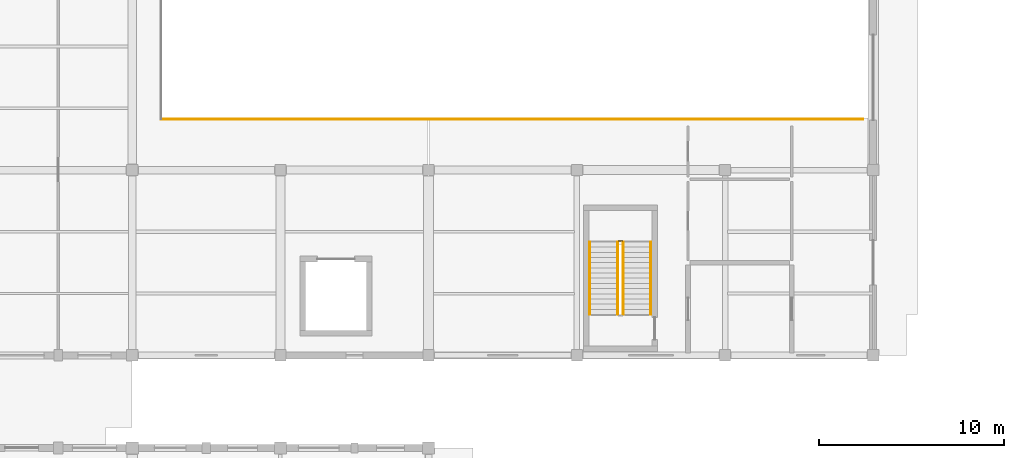
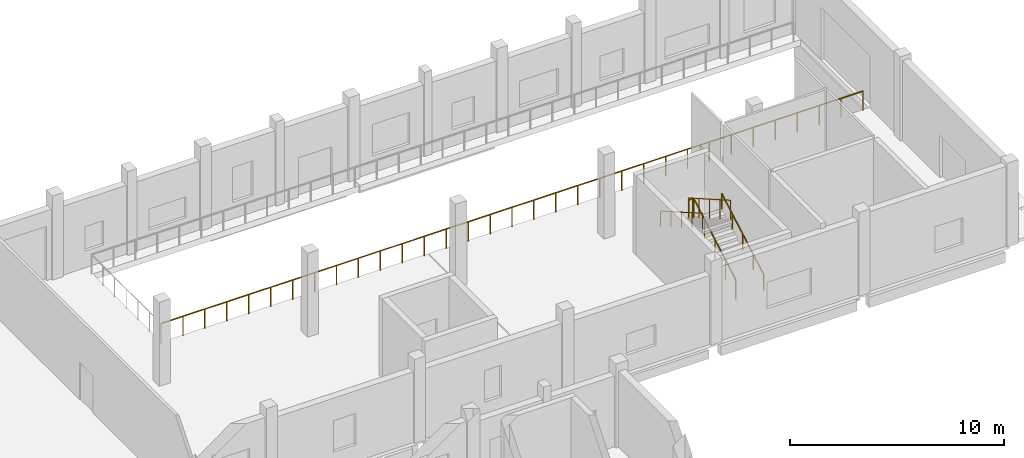
# One storey, part 147 of 156: 6 railings.
"""IFC4 building model written with IfcOpenShell, lengths in metres."""

from ifc_helpers import new_model, si_unit, direction, frame, origin, origin_2d, place, context, subcontext, project, spatial, circle, extrude, material, type_object, element, save


model = new_model("IFC4")

# Units and contexts
model_context = context("Model", 3, precision=1e-05, world=origin(), true_north=direction((0.0, 1.0)))
body_context = subcontext(model_context, "Body", "Model", "MODEL_VIEW")
ifc_project = project(units=[si_unit("LENGTHUNIT", "METRE"), si_unit("AREAUNIT", "SQUARE_METRE"), si_unit("VOLUMEUNIT", "CUBIC_METRE"), si_unit("PLANEANGLEUNIT", "RADIAN"), si_unit("MASSUNIT", "GRAM", prefix="KILO")], contexts=[model_context])

# Site, building, storey
site_placement = place(None, origin())
site = spatial("IfcSite", under=ifc_project, at=site_placement, CompositionType="ELEMENT")
building_placement = place(site_placement, origin())
building = spatial("IfcBuilding", under=site, at=building_placement, Name="Luwemba Playhouse", CompositionType="ELEMENT")
storey_placement = place(building_placement, origin())
storey = spatial("IfcBuildingStorey", under=building, at=storey_placement, Name="L00", CompositionType="ELEMENT", Elevation=0.0)

# Railings
ifc_material_1 = material(Name="Painted wrought-iron balustrade", Category="steel")
railing_type_1 = type_object("IfcRailingType", Name="RLG-BAL-EXT", PredefinedType="BALUSTRADE", material=ifc_material_1)
railing_1_placement = place(storey_placement, frame((37.550048828125, 107.75, 0.0)))
element("IfcRailing", 1, at=railing_1_placement, inside=storey, type_object=railing_type_1, Name="Car park ramp portal guard 020", PredefinedType="BALUSTRADE", context=body_context, shape_type="SweptSolid", body=[
    extrude(circle(Radius=0.02392578125, at=origin_2d()), frame((0.0, 0.0, 1.09619140625), z_axis=(1.0, 0.0, 0.0), x_axis=(0.0, 1.0, 0.0)), (0.0, 0.0, 1.0), 37.89990234375),
    extrude(circle(Radius=0.02099609375, at=origin_2d()), origin(), (0.0, 0.0, 1.0), 1.072021484375),
    extrude(circle(Radius=0.02099609375, at=origin_2d()), frame((1.184326171875, 0.0, 0.0)), (0.0, 0.0, 1.0), 1.072021484375),
    extrude(circle(Radius=0.02099609375, at=origin_2d()), frame((2.36865234375, 0.0, 0.0)), (0.0, 0.0, 1.0), 1.072021484375),
    extrude(circle(Radius=0.02099609375, at=origin_2d()), frame((3.55322265625, 0.0, 0.0)), (0.0, 0.0, 1.0), 1.072021484375),
    extrude(circle(Radius=0.02099609375, at=origin_2d()), frame((4.737548828125, 0.0, 0.0)), (0.0, 0.0, 1.0), 1.072021484375),
    extrude(circle(Radius=0.02099609375, at=origin_2d()), frame((5.921875, 0.0, 0.0)), (0.0, 0.0, 1.0), 1.072021484375),
    extrude(circle(Radius=0.02099609375, at=origin_2d()), frame((7.106201171875, 0.0, 0.0)), (0.0, 0.0, 1.0), 1.072021484375),
    extrude(circle(Radius=0.02099609375, at=origin_2d()), frame((8.29052734375, 0.0, 0.0)), (0.0, 0.0, 1.0), 1.072021484375),
    extrude(circle(Radius=0.02099609375, at=origin_2d()), frame((9.47509765625, 0.0, 0.0)), (0.0, 0.0, 1.0), 1.072021484375),
    extrude(circle(Radius=0.02099609375, at=origin_2d()), frame((10.659423828125, 0.0, 0.0)), (0.0, 0.0, 1.0), 1.072021484375),
    extrude(circle(Radius=0.02099609375, at=origin_2d()), frame((11.84375, 0.0, 0.0)), (0.0, 0.0, 1.0), 1.072021484375),
    extrude(circle(Radius=0.02099609375, at=origin_2d()), frame((13.028076171875, 0.0, 0.0)), (0.0, 0.0, 1.0), 1.072021484375),
    extrude(circle(Radius=0.02099609375, at=origin_2d()), frame((14.21240234375, 0.0, 0.0)), (0.0, 0.0, 1.0), 1.072021484375),
    extrude(circle(Radius=0.02099609375, at=origin_2d()), frame((15.396728515625, 0.0, 0.0)), (0.0, 0.0, 1.0), 1.072021484375),
    extrude(circle(Radius=0.02099609375, at=origin_2d()), frame((16.581298828125, 0.0, 0.0)), (0.0, 0.0, 1.0), 1.072021484375),
    extrude(circle(Radius=0.02099609375, at=origin_2d()), frame((17.765625, 0.0, 0.0)), (0.0, 0.0, 1.0), 1.072021484375),
    extrude(circle(Radius=0.02099609375, at=origin_2d()), frame((18.949951171875, 0.0, 0.0)), (0.0, 0.0, 1.0), 1.072021484375),
    extrude(circle(Radius=0.02099609375, at=origin_2d()), frame((20.13427734375, 0.0, 0.0)), (0.0, 0.0, 1.0), 1.072021484375),
    extrude(circle(Radius=0.02099609375, at=origin_2d()), frame((21.318603515625, 0.0, 0.0)), (0.0, 0.0, 1.0), 1.072021484375),
    extrude(circle(Radius=0.02099609375, at=origin_2d()), frame((22.503173828125, 0.0, 0.0)), (0.0, 0.0, 1.0), 1.072021484375),
    extrude(circle(Radius=0.02099609375, at=origin_2d()), frame((23.6875, 0.0, 0.0)), (0.0, 0.0, 1.0), 1.072021484375),
    extrude(circle(Radius=0.02099609375, at=origin_2d()), frame((24.871826171875, 0.0, 0.0)), (0.0, 0.0, 1.0), 1.072021484375),
    extrude(circle(Radius=0.02099609375, at=origin_2d()), frame((26.05615234375, 0.0, 0.0)), (0.0, 0.0, 1.0), 1.072021484375),
    extrude(circle(Radius=0.02099609375, at=origin_2d()), frame((27.240478515625, 0.0, 0.0)), (0.0, 0.0, 1.0), 1.072021484375),
    extrude(circle(Radius=0.02099609375, at=origin_2d()), frame((28.4248046875, 0.0, 0.0)), (0.0, 0.0, 1.0), 1.072021484375),
    extrude(circle(Radius=0.02099609375, at=origin_2d()), frame((29.609375, 0.0, 0.0)), (0.0, 0.0, 1.0), 1.072021484375),
    extrude(circle(Radius=0.02099609375, at=origin_2d()), frame((30.793701171875, 0.0, 0.0)), (0.0, 0.0, 1.0), 1.072021484375),
    extrude(circle(Radius=0.02099609375, at=origin_2d()), frame((31.97802734375, 0.0, 0.0)), (0.0, 0.0, 1.0), 1.072021484375),
    extrude(circle(Radius=0.02099609375, at=origin_2d()), frame((33.162353515625, 0.0, 0.0)), (0.0, 0.0, 1.0), 1.072021484375),
    extrude(circle(Radius=0.02099609375, at=origin_2d()), frame((34.3466796875, 0.0, 0.0)), (0.0, 0.0, 1.0), 1.072021484375),
    extrude(circle(Radius=0.02099609375, at=origin_2d()), frame((35.53125, 0.0, 0.0)), (0.0, 0.0, 1.0), 1.072021484375),
    extrude(circle(Radius=0.02099609375, at=origin_2d()), frame((36.715576171875, 0.0, 0.0)), (0.0, 0.0, 1.0), 1.072021484375),
    extrude(circle(Radius=0.02099609375, at=origin_2d()), frame((37.89990234375, 0.0, 0.0)), (0.0, 0.0, 1.0), 1.072021484375),
])
ifc_material_2 = material(Name="Painted wrought-iron gallery balustrade", Category="steel")
railing_type_2 = type_object("IfcRailingType", Name="RLG-BAL-INT", PredefinedType="BALUSTRADE", material=ifc_material_2)
railing_2_placement = place(storey_placement, frame((62.5, 97.199951171875, 0.159912109375)))
element("IfcRailing", 2, at=railing_2_placement, inside=storey, type_object=railing_type_2, Name="L00 ST-15 stair guard 1", PredefinedType="BALUSTRADE", context=body_context, shape_type="SweptSolid", body=[
    extrude(circle(Radius=0.02392578125, at=origin_2d()), frame((0.0, 0.0, 1.09619140625), z_axis=(0.0, 0.86825312469, 0.496121468458), x_axis=(-1.0, 0.0, 0.0)), (0.0, 0.0, 1.0), 4.514892578125),
    extrude(circle(Radius=0.02099609375, at=origin_2d()), origin(), (0.0, 0.0, 1.0), 1.072021484375),
    extrude(circle(Radius=0.02099609375, at=origin_2d()), frame((0.0, 0.97998046875, 0.56005859375)), (0.0, 0.0, 1.0), 1.072021484375),
    extrude(circle(Radius=0.02099609375, at=origin_2d()), frame((0.0, 1.9599609375, 1.1201171875)), (0.0, 0.0, 1.0), 1.072021484375),
    extrude(circle(Radius=0.02099609375, at=origin_2d()), frame((0.0, 2.940185546875, 1.679931640625)), (0.0, 0.0, 1.0), 1.072021484375),
    extrude(circle(Radius=0.02099609375, at=origin_2d()), frame((0.0, 3.920166015625, 2.239990234375)), (0.0, 0.0, 1.0), 1.072021484375),
])
railing_3_placement = place(storey_placement, frame((62.449951171875, 101.169921875, 2.39990234375)))
element("IfcRailing", 3, at=railing_3_placement, inside=storey, type_object=railing_type_2, Name="L00 ST-15 stair guard 2", PredefinedType="BALUSTRADE", context=body_context, shape_type="SweptSolid", body=[
    extrude(circle(Radius=0.02392578125, at=origin_2d()), frame((0.0, 0.0, 1.09619140625), z_axis=(-1.0, 0.0, 0.0), x_axis=(0.0, -1.0, 0.0)), (0.0, 0.0, 1.0), 0.199951171875),
    extrude(circle(Radius=0.02099609375, at=origin_2d()), origin(), (0.0, 0.0, 1.0), 1.072021484375),
    extrude(circle(Radius=0.02099609375, at=origin_2d()), frame((-0.199951171875, 0.0, 0.0)), (0.0, 0.0, 1.0), 1.072021484375),
])
railing_4_placement = place(storey_placement, frame((62.199951171875, 101.1201171875, 2.56005859375)))
element("IfcRailing", 4, at=railing_4_placement, inside=storey, type_object=railing_type_2, Name="L00 ST-15 stair guard 3", PredefinedType="BALUSTRADE", context=body_context, shape_type="SweptSolid", body=[
    extrude(circle(Radius=0.02392578125, at=origin_2d()), frame((0.0, 0.0, 1.09619140625), z_axis=(0.0, -0.86825312469, 0.496121468458), x_axis=(1.0, 0.0, 0.0)), (0.0, 0.0, 1.0), 4.514892578125),
    extrude(circle(Radius=0.02099609375, at=origin_2d()), origin(), (0.0, 0.0, 1.0), 1.072021484375),
    extrude(circle(Radius=0.02099609375, at=origin_2d()), frame((0.0, -0.97998046875, 0.56005859375)), (0.0, 0.0, 1.0), 1.072021484375),
    extrude(circle(Radius=0.02099609375, at=origin_2d()), frame((0.0, -1.9599609375, 1.1201171875)), (0.0, 0.0, 1.0), 1.072021484375),
    extrude(circle(Radius=0.02099609375, at=origin_2d()), frame((0.0, -2.940185546875, 1.679931640625)), (0.0, 0.0, 1.0), 1.072021484375),
    extrude(circle(Radius=0.02099609375, at=origin_2d()), frame((0.0, -3.920166015625, 2.239990234375)), (0.0, 0.0, 1.0), 1.072021484375),
])
ifc_material_3 = material(Name="Hardwood and bronze handrail", Category="wood")
railing_type_3 = type_object("IfcRailingType", Name="RLG-HR-INT", PredefinedType="HANDRAIL", material=ifc_material_3)
railing_5_placement = place(storey_placement, frame((64.0, 97.199951171875, 0.159912109375)))
element("IfcRailing", 5, at=railing_5_placement, inside=storey, type_object=railing_type_3, Name="L00 ST-15 stair handrail 1", PredefinedType="HANDRAIL", context=body_context, shape_type="SweptSolid", body=[
    extrude(circle(Radius=0.02392578125, at=origin_2d()), frame((0.0, 0.0, 0.8759765625), z_axis=(0.0, 0.86825312469, 0.496121468458), x_axis=(-1.0, 0.0, 0.0)), (0.0, 0.0, 1.0), 4.514892578125),
    extrude(circle(Radius=0.02099609375, at=origin_2d()), origin(), (0.0, 0.0, 1.0), 0.851806640625),
    extrude(circle(Radius=0.02099609375, at=origin_2d()), frame((0.0, 0.97998046875, 0.56005859375)), (0.0, 0.0, 1.0), 0.851806640625),
    extrude(circle(Radius=0.02099609375, at=origin_2d()), frame((0.0, 1.9599609375, 1.1201171875)), (0.0, 0.0, 1.0), 0.851806640625),
    extrude(circle(Radius=0.02099609375, at=origin_2d()), frame((0.0, 2.940185546875, 1.679931640625)), (0.0, 0.0, 1.0), 0.851806640625),
    extrude(circle(Radius=0.02099609375, at=origin_2d()), frame((0.0, 3.920166015625, 2.239990234375)), (0.0, 0.0, 1.0), 0.851806640625),
])
railing_6_placement = place(storey_placement, frame((60.699951171875, 101.1201171875, 2.56005859375)))
element("IfcRailing", 6, at=railing_6_placement, inside=storey, type_object=railing_type_3, Name="L00 ST-15 stair handrail 2", PredefinedType="HANDRAIL", context=body_context, shape_type="SweptSolid", body=[
    extrude(circle(Radius=0.02392578125, at=origin_2d()), frame((0.0, 0.0, 0.8759765625), z_axis=(0.0, -0.86825312469, 0.496121468458), x_axis=(1.0, 0.0, 0.0)), (0.0, 0.0, 1.0), 4.514892578125),
    extrude(circle(Radius=0.02099609375, at=origin_2d()), origin(), (0.0, 0.0, 1.0), 0.851806640625),
    extrude(circle(Radius=0.02099609375, at=origin_2d()), frame((0.0, -0.97998046875, 0.56005859375)), (0.0, 0.0, 1.0), 0.851806640625),
    extrude(circle(Radius=0.02099609375, at=origin_2d()), frame((0.0, -1.9599609375, 1.1201171875)), (0.0, 0.0, 1.0), 0.851806640625),
    extrude(circle(Radius=0.02099609375, at=origin_2d()), frame((0.0, -2.940185546875, 1.679931640625)), (0.0, 0.0, 1.0), 0.851806640625),
    extrude(circle(Radius=0.02099609375, at=origin_2d()), frame((0.0, -3.920166015625, 2.239990234375)), (0.0, 0.0, 1.0), 0.851806640625),
])

save(model, "model.ifc")
